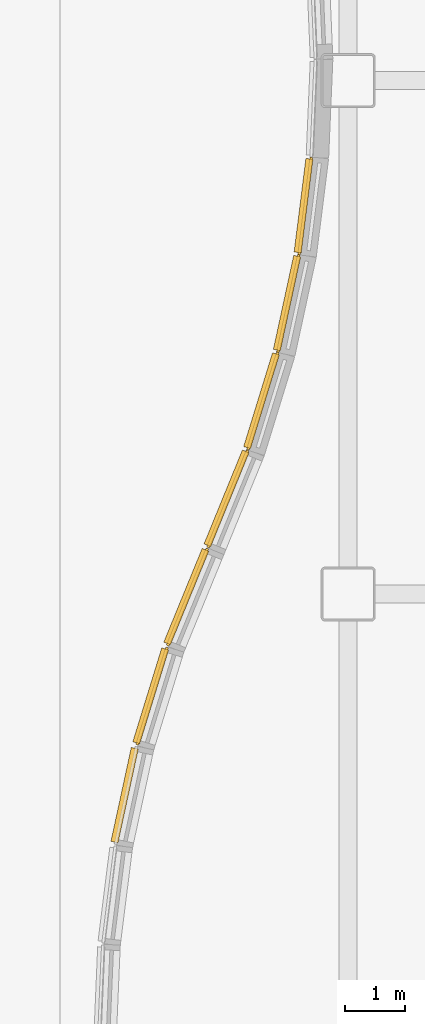
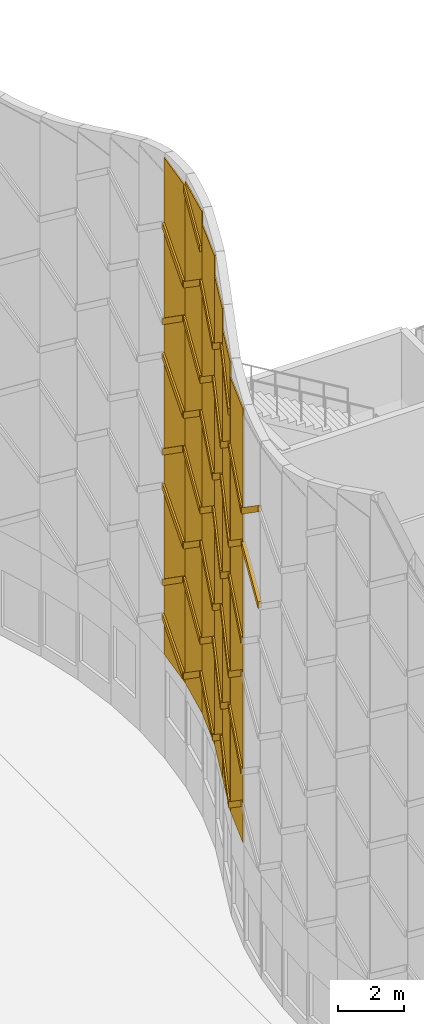
# One storey, part 155 of 165: 50 coverings.
"""IFC4 building model written with IfcOpenShell, lengths in metres."""

from ifc_helpers import new_model, si_unit, direction, frame, origin, origin_2d, place, context, subcontext, project, spatial, polyline, rectangle, outline, extrude, material, layer, layer_set, type_object, element, save


model = new_model("IFC4")

# Units and contexts
model_context = context("Model", 3, precision=1e-05, world=origin(), true_north=direction((0.0, 1.0)))
body_context = subcontext(model_context, "Body", "Model", "MODEL_VIEW")
ifc_project = project(units=[si_unit("LENGTHUNIT", "METRE"), si_unit("AREAUNIT", "SQUARE_METRE"), si_unit("VOLUMEUNIT", "CUBIC_METRE"), si_unit("PLANEANGLEUNIT", "RADIAN"), si_unit("MASSUNIT", "GRAM", prefix="KILO")], contexts=[model_context])

# Site, building, storey
site_placement = place(None, origin())
site = spatial("IfcSite", under=ifc_project, at=site_placement, CompositionType="ELEMENT")
building_placement = place(site_placement, origin())
building = spatial("IfcBuilding", under=site, at=building_placement, Name="Kazehara Bluff Congress Hotel", CompositionType="ELEMENT")
storey_placement = place(building_placement, origin())
storey = spatial("IfcBuildingStorey", under=building, at=storey_placement, Name="L00", CompositionType="ELEMENT", Elevation=0.0)

# Coverings
ifc_material_1 = material(Name="Basalt stone-grey chevron ceramic tile", Category="masonry")
ifc_layer_1 = layer(ifc_material_1, 0.1201171875)
ifc_layer_set_1 = layer_set([ifc_layer_1], Name="Basalt stone-grey chevron ceramic tile")
covering_type_1 = type_object("IfcCoveringType", Name="TP-CHV-RIB", PredefinedType="CLADDING", material=ifc_layer_set_1)
covering_1_placement = place(storey_placement, frame((0.89990234375, 92.72998046875, 13.60009765625), z_axis=(0.0, 0.0, 1.0), x_axis=(0.2115356349, 0.977370285597, 0.0)))
element("IfcCovering", 1, at=covering_1_placement, inside=storey, type_object=covering_type_1, Name="Chevron stone-grey tile rib WR-V1-28-5", PredefinedType="CLADDING", context=body_context, shape_type="SweptSolid", body=[
    extrude(outline(polyline([(0.0400390625, 0.0), (1.639892578125, 1.14990234375), (1.639892578125, 1.389892578125), (0.0400390625, 0.239990234375), (0.0400390625, 0.0)])), frame((0.0, 0.06005859375, 0.0), z_axis=(0.0, -1.0, 0.0), x_axis=(1.0, 0.0, 0.0)), (0.0, 0.0, 1.0), 0.1201171875),
])
covering_2_placement = place(storey_placement, frame((0.89990234375, 92.72998046875, 16.0), z_axis=(0.0, 0.0, 1.0), x_axis=(0.2115356349, 0.977370285597, 0.0)))
element("IfcCovering", 2, at=covering_2_placement, inside=storey, type_object=covering_type_1, Name="Chevron stone-grey tile rib WR-V1-28-6", PredefinedType="CLADDING", context=body_context, shape_type="SweptSolid", body=[
    extrude(outline(polyline([(0.0400390625, 1.14990234375), (1.639892578125, 0.0), (1.639892578125, 0.239990234375), (0.0400390625, 1.389892578125), (0.0400390625, 1.14990234375)])), frame((0.0, 0.06005859375, 0.0), z_axis=(0.0, -1.0, 0.0), x_axis=(1.0, 0.0, 0.0)), (0.0, 0.0, 1.0), 0.1201171875),
])
covering_3_placement = place(storey_placement, frame((1.260009765625, 94.385009765625, 4.0), z_axis=(0.0, 0.0, 1.0), x_axis=(0.294245819444, 0.955729772342, 0.0)))
element("IfcCovering", 3, at=covering_3_placement, inside=storey, type_object=covering_type_1, Name="Chevron stone-grey tile rib WR-V1-29-1", PredefinedType="CLADDING", context=body_context, shape_type="SweptSolid", body=[
    extrude(outline(polyline([(0.0400390625, 1.175048828125), (1.675048828125, 0.0), (1.675048828125, 0.239990234375), (0.0400390625, 1.4150390625), (0.0400390625, 1.175048828125)])), frame((0.0, 0.06005859375, 0.0), z_axis=(0.0, -1.0, 0.0), x_axis=(1.0, 0.0, 0.0)), (0.0, 0.0, 1.0), 0.1201171875),
])
covering_4_placement = place(storey_placement, frame((1.260009765625, 94.385009765625, 6.39990234375), z_axis=(0.0, 0.0, 1.0), x_axis=(0.294245819444, 0.955729772342, 0.0)))
element("IfcCovering", 4, at=covering_4_placement, inside=storey, type_object=covering_type_1, Name="Chevron stone-grey tile rib WR-V1-29-2", PredefinedType="CLADDING", context=body_context, shape_type="SweptSolid", body=[
    extrude(outline(polyline([(0.0400390625, 0.0), (1.675048828125, 1.175048828125), (1.675048828125, 1.4150390625), (0.0400390625, 0.239990234375), (0.0400390625, 0.0)])), frame((0.0, 0.06005859375, 0.0), z_axis=(0.0, -1.0, 0.0), x_axis=(1.0, 0.0, 0.0)), (0.0, 0.0, 1.0), 0.1201171875),
])
covering_5_placement = place(storey_placement, frame((1.260009765625, 94.385009765625, 8.800048828125), z_axis=(0.0, 0.0, 1.0), x_axis=(0.294245819444, 0.955729772342, 0.0)))
element("IfcCovering", 5, at=covering_5_placement, inside=storey, type_object=covering_type_1, Name="Chevron stone-grey tile rib WR-V1-29-3", PredefinedType="CLADDING", context=body_context, shape_type="SweptSolid", body=[
    extrude(outline(polyline([(0.0400390625, 1.175048828125), (1.675048828125, 0.0), (1.675048828125, 0.239990234375), (0.0400390625, 1.4150390625), (0.0400390625, 1.175048828125)])), frame((0.0, 0.06005859375, 0.0), z_axis=(0.0, -1.0, 0.0), x_axis=(1.0, 0.0, 0.0)), (0.0, 0.0, 1.0), 0.1201171875),
])
covering_6_placement = place(storey_placement, frame((1.260009765625, 94.385009765625, 11.199951171875), z_axis=(0.0, 0.0, 1.0), x_axis=(0.294245819444, 0.955729772342, 0.0)))
element("IfcCovering", 6, at=covering_6_placement, inside=storey, type_object=covering_type_1, Name="Chevron stone-grey tile rib WR-V1-29-4", PredefinedType="CLADDING", context=body_context, shape_type="SweptSolid", body=[
    extrude(outline(polyline([(0.0400390625, 0.0), (1.675048828125, 1.175048828125), (1.675048828125, 1.4150390625), (0.0400390625, 0.239990234375), (0.0400390625, 0.0)])), frame((0.0, 0.06005859375, 0.0), z_axis=(0.0, -1.0, 0.0), x_axis=(1.0, 0.0, 0.0)), (0.0, 0.0, 1.0), 0.1201171875),
])
covering_7_placement = place(storey_placement, frame((1.260009765625, 94.385009765625, 13.60009765625), z_axis=(0.0, 0.0, 1.0), x_axis=(0.294245819444, 0.955729772342, 0.0)))
element("IfcCovering", 7, at=covering_7_placement, inside=storey, type_object=covering_type_1, Name="Chevron stone-grey tile rib WR-V1-29-5", PredefinedType="CLADDING", context=body_context, shape_type="SweptSolid", body=[
    extrude(outline(polyline([(0.0400390625, 1.1748046875), (1.675048828125, 0.0), (1.675048828125, 0.239990234375), (0.0400390625, 1.414794921875), (0.0400390625, 1.1748046875)])), frame((0.0, 0.06005859375, 0.0), z_axis=(0.0, -1.0, 0.0), x_axis=(1.0, 0.0, 0.0)), (0.0, 0.0, 1.0), 0.1201171875),
])
covering_8_placement = place(storey_placement, frame((1.260009765625, 94.385009765625, 16.0), z_axis=(0.0, 0.0, 1.0), x_axis=(0.294245819444, 0.955729772342, 0.0)))
element("IfcCovering", 8, at=covering_8_placement, inside=storey, type_object=covering_type_1, Name="Chevron stone-grey tile rib WR-V1-29-6", PredefinedType="CLADDING", context=body_context, shape_type="SweptSolid", body=[
    extrude(outline(polyline([(0.0400390625, 0.0), (1.675048828125, 1.175048828125), (1.675048828125, 1.4150390625), (0.0400390625, 0.239990234375), (0.0400390625, 0.0)])), frame((0.0, 0.06005859375, 0.0), z_axis=(0.0, -1.0, 0.0), x_axis=(1.0, 0.0, 0.0)), (0.0, 0.0, 1.0), 0.1201171875),
])
covering_9_placement = place(storey_placement, frame((1.77001953125, 96.0400390625, 4.0), z_axis=(0.0, 0.0, 1.0), x_axis=(0.379143902022, 0.925337722974, 0.0)))
element("IfcCovering", 9, at=covering_9_placement, inside=storey, type_object=covering_type_1, Name="Chevron stone-grey tile rib WR-V1-30-1", PredefinedType="CLADDING", context=body_context, shape_type="SweptSolid", body=[
    extrude(outline(polyline([(0.0400390625, 0.0), (1.72509765625, 1.199951171875), (1.72509765625, 1.43994140625), (0.0400390625, 0.239990234375), (0.0400390625, 0.0)])), frame((0.0, 0.06005859375, 0.0), z_axis=(0.0, -1.0, 0.0), x_axis=(1.0, 0.0, 0.0)), (0.0, 0.0, 1.0), 0.1201171875),
])
covering_10_placement = place(storey_placement, frame((1.77001953125, 96.0400390625, 6.39990234375), z_axis=(0.0, 0.0, 1.0), x_axis=(0.379143902022, 0.925337722974, 0.0)))
element("IfcCovering", 10, at=covering_10_placement, inside=storey, type_object=covering_type_1, Name="Chevron stone-grey tile rib WR-V1-30-2", PredefinedType="CLADDING", context=body_context, shape_type="SweptSolid", body=[
    extrude(outline(polyline([(0.0400390625, 1.2001953125), (1.72509765625, 0.0), (1.72509765625, 0.239990234375), (0.0400390625, 1.440185546875), (0.0400390625, 1.2001953125)])), frame((0.0, 0.06005859375, 0.0), z_axis=(0.0, -1.0, 0.0), x_axis=(1.0, 0.0, 0.0)), (0.0, 0.0, 1.0), 0.1201171875),
])
covering_11_placement = place(storey_placement, frame((1.77001953125, 96.0400390625, 8.800048828125), z_axis=(0.0, 0.0, 1.0), x_axis=(0.379143902022, 0.925337722974, 0.0)))
element("IfcCovering", 11, at=covering_11_placement, inside=storey, type_object=covering_type_1, Name="Chevron stone-grey tile rib WR-V1-30-3", PredefinedType="CLADDING", context=body_context, shape_type="SweptSolid", body=[
    extrude(outline(polyline([(0.0400390625, 0.0), (1.72509765625, 1.199951171875), (1.72509765625, 1.43994140625), (0.0400390625, 0.239990234375), (0.0400390625, 0.0)])), frame((0.0, 0.06005859375, 0.0), z_axis=(0.0, -1.0, 0.0), x_axis=(1.0, 0.0, 0.0)), (0.0, 0.0, 1.0), 0.1201171875),
])
covering_12_placement = place(storey_placement, frame((1.77001953125, 96.0400390625, 11.199951171875), z_axis=(0.0, 0.0, 1.0), x_axis=(0.379143902022, 0.925337722974, 0.0)))
element("IfcCovering", 12, at=covering_12_placement, inside=storey, type_object=covering_type_1, Name="Chevron stone-grey tile rib WR-V1-30-4", PredefinedType="CLADDING", context=body_context, shape_type="SweptSolid", body=[
    extrude(outline(polyline([(0.0400390625, 1.199951171875), (1.72509765625, 0.0), (1.72509765625, 0.239990234375), (0.0400390625, 1.43994140625), (0.0400390625, 1.199951171875)])), frame((0.0, 0.06005859375, 0.0), z_axis=(0.0, -1.0, 0.0), x_axis=(1.0, 0.0, 0.0)), (0.0, 0.0, 1.0), 0.1201171875),
])
covering_13_placement = place(storey_placement, frame((1.77001953125, 96.0400390625, 13.60009765625), z_axis=(0.0, 0.0, 1.0), x_axis=(0.379143902022, 0.925337722974, 0.0)))
element("IfcCovering", 13, at=covering_13_placement, inside=storey, type_object=covering_type_1, Name="Chevron stone-grey tile rib WR-V1-30-5", PredefinedType="CLADDING", context=body_context, shape_type="SweptSolid", body=[
    extrude(outline(polyline([(0.0400390625, 0.0), (1.72509765625, 1.199951171875), (1.72509765625, 1.43994140625), (0.0400390625, 0.239990234375), (0.0400390625, 0.0)])), frame((0.0, 0.06005859375, 0.0), z_axis=(0.0, -1.0, 0.0), x_axis=(1.0, 0.0, 0.0)), (0.0, 0.0, 1.0), 0.1201171875),
])
covering_14_placement = place(storey_placement, frame((1.77001953125, 96.0400390625, 16.0), z_axis=(0.0, 0.0, 1.0), x_axis=(0.379143902022, 0.925337722974, 0.0)))
element("IfcCovering", 14, at=covering_14_placement, inside=storey, type_object=covering_type_1, Name="Chevron stone-grey tile rib WR-V1-30-6", PredefinedType="CLADDING", context=body_context, shape_type="SweptSolid", body=[
    extrude(outline(polyline([(0.0400390625, 1.199951171875), (1.72509765625, 0.0), (1.72509765625, 0.239990234375), (0.0400390625, 1.43994140625), (0.0400390625, 1.199951171875)])), frame((0.0, 0.06005859375, 0.0), z_axis=(0.0, -1.0, 0.0), x_axis=(1.0, 0.0, 0.0)), (0.0, 0.0, 1.0), 0.1201171875),
])
covering_15_placement = place(storey_placement, frame((1.77001953125, 96.0400390625, 18.39990234375), z_axis=(0.0, 0.0, 1.0), x_axis=(0.379143902022, 0.925337722974, 0.0)))
element("IfcCovering", 15, at=covering_15_placement, inside=storey, type_object=covering_type_1, Name="Chevron stone-grey tile rib WR-V1-30-7", PredefinedType="CLADDING", context=body_context, shape_type="SweptSolid", body=[
    extrude(outline(polyline([(0.0400390625, 0.0), (1.72509765625, 1.2001953125), (1.72509765625, 1.440185546875), (0.0400390625, 0.239990234375), (0.0400390625, 0.0)])), frame((0.0, 0.06005859375, 0.0), z_axis=(0.0, -1.0, 0.0), x_axis=(1.0, 0.0, 0.0)), (0.0, 0.0, 1.0), 0.1201171875),
])
covering_16_placement = place(storey_placement, frame((2.43994140625, 97.675048828125, 4.0), z_axis=(0.0, 0.0, 1.0), x_axis=(0.378294753484, 0.925685194592, 0.0)))
element("IfcCovering", 16, at=covering_16_placement, inside=storey, type_object=covering_type_1, Name="Chevron stone-grey tile rib WR-V1-31-1", PredefinedType="CLADDING", context=body_context, shape_type="SweptSolid", body=[
    extrude(outline(polyline([(0.0400390625, 1.199951171875), (1.72998046875, 0.0), (1.72998046875, 0.239990234375), (0.0400390625, 1.43994140625), (0.0400390625, 1.199951171875)])), frame((0.0, 0.06005859375, 0.0), z_axis=(0.0, -1.0, 0.0), x_axis=(1.0, 0.0, 0.0)), (0.0, 0.0, 1.0), 0.1201171875),
])
covering_17_placement = place(storey_placement, frame((2.43994140625, 97.675048828125, 6.39990234375), z_axis=(0.0, 0.0, 1.0), x_axis=(0.378294753484, 0.925685194592, 0.0)))
element("IfcCovering", 17, at=covering_17_placement, inside=storey, type_object=covering_type_1, Name="Chevron stone-grey tile rib WR-V1-31-2", PredefinedType="CLADDING", context=body_context, shape_type="SweptSolid", body=[
    extrude(outline(polyline([(0.0400390625, 0.0), (1.72998046875, 1.2001953125), (1.72998046875, 1.440185546875), (0.0400390625, 0.239990234375), (0.0400390625, 0.0)])), frame((0.0, 0.06005859375, 0.0), z_axis=(0.0, -1.0, 0.0), x_axis=(1.0, 0.0, 0.0)), (0.0, 0.0, 1.0), 0.1201171875),
])
covering_18_placement = place(storey_placement, frame((2.43994140625, 97.675048828125, 8.800048828125), z_axis=(0.0, 0.0, 1.0), x_axis=(0.378294753484, 0.925685194592, 0.0)))
element("IfcCovering", 18, at=covering_18_placement, inside=storey, type_object=covering_type_1, Name="Chevron stone-grey tile rib WR-V1-31-3", PredefinedType="CLADDING", context=body_context, shape_type="SweptSolid", body=[
    extrude(outline(polyline([(0.0400390625, 1.199951171875), (1.72998046875, 0.0), (1.72998046875, 0.239990234375), (0.0400390625, 1.43994140625), (0.0400390625, 1.199951171875)])), frame((0.0, 0.06005859375, 0.0), z_axis=(0.0, -1.0, 0.0), x_axis=(1.0, 0.0, 0.0)), (0.0, 0.0, 1.0), 0.1201171875),
])
covering_19_placement = place(storey_placement, frame((2.43994140625, 97.675048828125, 11.199951171875), z_axis=(0.0, 0.0, 1.0), x_axis=(0.378294753484, 0.925685194592, 0.0)))
element("IfcCovering", 19, at=covering_19_placement, inside=storey, type_object=covering_type_1, Name="Chevron stone-grey tile rib WR-V1-31-4", PredefinedType="CLADDING", context=body_context, shape_type="SweptSolid", body=[
    extrude(outline(polyline([(0.0400390625, 0.0), (1.72998046875, 1.199951171875), (1.72998046875, 1.43994140625), (0.0400390625, 0.239990234375), (0.0400390625, 0.0)])), frame((0.0, 0.06005859375, 0.0), z_axis=(0.0, -1.0, 0.0), x_axis=(1.0, 0.0, 0.0)), (0.0, 0.0, 1.0), 0.1201171875),
])
covering_20_placement = place(storey_placement, frame((2.43994140625, 97.675048828125, 13.60009765625), z_axis=(0.0, 0.0, 1.0), x_axis=(0.378294753484, 0.925685194592, 0.0)))
element("IfcCovering", 20, at=covering_20_placement, inside=storey, type_object=covering_type_1, Name="Chevron stone-grey tile rib WR-V1-31-5", PredefinedType="CLADDING", context=body_context, shape_type="SweptSolid", body=[
    extrude(outline(polyline([(0.0400390625, 1.199951171875), (1.72998046875, 0.0), (1.72998046875, 0.239990234375), (0.0400390625, 1.43994140625), (0.0400390625, 1.199951171875)])), frame((0.0, 0.06005859375, 0.0), z_axis=(0.0, -1.0, 0.0), x_axis=(1.0, 0.0, 0.0)), (0.0, 0.0, 1.0), 0.1201171875),
])
covering_21_placement = place(storey_placement, frame((2.43994140625, 97.675048828125, 16.0), z_axis=(0.0, 0.0, 1.0), x_axis=(0.378294753484, 0.925685194592, 0.0)))
element("IfcCovering", 21, at=covering_21_placement, inside=storey, type_object=covering_type_1, Name="Chevron stone-grey tile rib WR-V1-31-6", PredefinedType="CLADDING", context=body_context, shape_type="SweptSolid", body=[
    extrude(outline(polyline([(0.0400390625, 0.0), (1.72998046875, 1.199951171875), (1.72998046875, 1.43994140625), (0.0400390625, 0.239990234375), (0.0400390625, 0.0)])), frame((0.0, 0.06005859375, 0.0), z_axis=(0.0, -1.0, 0.0), x_axis=(1.0, 0.0, 0.0)), (0.0, 0.0, 1.0), 0.1201171875),
])
covering_22_placement = place(storey_placement, frame((2.43994140625, 97.675048828125, 18.39990234375), z_axis=(0.0, 0.0, 1.0), x_axis=(0.378294753484, 0.925685194592, 0.0)))
element("IfcCovering", 22, at=covering_22_placement, inside=storey, type_object=covering_type_1, Name="Chevron stone-grey tile rib WR-V1-31-7", PredefinedType="CLADDING", context=body_context, shape_type="SweptSolid", body=[
    extrude(outline(polyline([(0.0400390625, 1.2001953125), (1.72998046875, 0.0), (1.72998046875, 0.239990234375), (0.0400390625, 1.440185546875), (0.0400390625, 1.2001953125)])), frame((0.0, 0.06005859375, 0.0), z_axis=(0.0, -1.0, 0.0), x_axis=(1.0, 0.0, 0.0)), (0.0, 0.0, 1.0), 0.1201171875),
])
covering_23_placement = place(storey_placement, frame((3.10498046875, 99.300048828125, 4.0), z_axis=(0.0, 0.0, 1.0), x_axis=(0.294375777354, 0.955689751806, 0.0)))
element("IfcCovering", 23, at=covering_23_placement, inside=storey, type_object=covering_type_1, Name="Chevron stone-grey tile rib WR-V1-32-1", PredefinedType="CLADDING", context=body_context, shape_type="SweptSolid", body=[
    extrude(outline(polyline([(0.0400390625, 0.0), (1.675048828125, 1.175048828125), (1.675048828125, 1.4150390625), (0.0400390625, 0.239990234375), (0.0400390625, 0.0)])), frame((0.0, 0.06005859375, 0.0), z_axis=(0.0, -1.0, 0.0), x_axis=(1.0, 0.0, 0.0)), (0.0, 0.0, 1.0), 0.1201171875),
])
covering_24_placement = place(storey_placement, frame((3.10498046875, 99.300048828125, 6.39990234375), z_axis=(0.0, 0.0, 1.0), x_axis=(0.294375777354, 0.955689751806, 0.0)))
element("IfcCovering", 24, at=covering_24_placement, inside=storey, type_object=covering_type_1, Name="Chevron stone-grey tile rib WR-V1-32-2", PredefinedType="CLADDING", context=body_context, shape_type="SweptSolid", body=[
    extrude(outline(polyline([(0.0400390625, 1.175048828125), (1.675048828125, 0.0), (1.675048828125, 0.239990234375), (0.0400390625, 1.4150390625), (0.0400390625, 1.175048828125)])), frame((0.0, 0.06005859375, 0.0), z_axis=(0.0, -1.0, 0.0), x_axis=(1.0, 0.0, 0.0)), (0.0, 0.0, 1.0), 0.1201171875),
])
covering_25_placement = place(storey_placement, frame((3.10498046875, 99.300048828125, 8.800048828125), z_axis=(0.0, 0.0, 1.0), x_axis=(0.294375777354, 0.955689751806, 0.0)))
element("IfcCovering", 25, at=covering_25_placement, inside=storey, type_object=covering_type_1, Name="Chevron stone-grey tile rib WR-V1-32-3", PredefinedType="CLADDING", context=body_context, shape_type="SweptSolid", body=[
    extrude(outline(polyline([(0.0400390625, 0.0), (1.675048828125, 1.175048828125), (1.675048828125, 1.4150390625), (0.0400390625, 0.239990234375), (0.0400390625, 0.0)])), frame((0.0, 0.06005859375, 0.0), z_axis=(0.0, -1.0, 0.0), x_axis=(1.0, 0.0, 0.0)), (0.0, 0.0, 1.0), 0.1201171875),
])
covering_26_placement = place(storey_placement, frame((3.10498046875, 99.300048828125, 11.199951171875), z_axis=(0.0, 0.0, 1.0), x_axis=(0.294375777354, 0.955689751806, 0.0)))
element("IfcCovering", 26, at=covering_26_placement, inside=storey, type_object=covering_type_1, Name="Chevron stone-grey tile rib WR-V1-32-4", PredefinedType="CLADDING", context=body_context, shape_type="SweptSolid", body=[
    extrude(outline(polyline([(0.0400390625, 1.175048828125), (1.675048828125, 0.0), (1.675048828125, 0.239990234375), (0.0400390625, 1.4150390625), (0.0400390625, 1.175048828125)])), frame((0.0, 0.06005859375, 0.0), z_axis=(0.0, -1.0, 0.0), x_axis=(1.0, 0.0, 0.0)), (0.0, 0.0, 1.0), 0.1201171875),
])
covering_27_placement = place(storey_placement, frame((3.10498046875, 99.300048828125, 13.60009765625), z_axis=(0.0, 0.0, 1.0), x_axis=(0.294375777354, 0.955689751806, 0.0)))
element("IfcCovering", 27, at=covering_27_placement, inside=storey, type_object=covering_type_1, Name="Chevron stone-grey tile rib WR-V1-32-5", PredefinedType="CLADDING", context=body_context, shape_type="SweptSolid", body=[
    extrude(outline(polyline([(0.0400390625, 0.0), (1.675048828125, 1.1748046875), (1.675048828125, 1.414794921875), (0.0400390625, 0.239990234375), (0.0400390625, 0.0)])), frame((0.0, 0.06005859375, 0.0), z_axis=(0.0, -1.0, 0.0), x_axis=(1.0, 0.0, 0.0)), (0.0, 0.0, 1.0), 0.1201171875),
])
covering_28_placement = place(storey_placement, frame((3.10498046875, 99.300048828125, 16.0), z_axis=(0.0, 0.0, 1.0), x_axis=(0.294375777354, 0.955689751806, 0.0)))
element("IfcCovering", 28, at=covering_28_placement, inside=storey, type_object=covering_type_1, Name="Chevron stone-grey tile rib WR-V1-32-6", PredefinedType="CLADDING", context=body_context, shape_type="SweptSolid", body=[
    extrude(outline(polyline([(0.0400390625, 1.175048828125), (1.675048828125, 0.0), (1.675048828125, 0.239990234375), (0.0400390625, 1.4150390625), (0.0400390625, 1.175048828125)])), frame((0.0, 0.06005859375, 0.0), z_axis=(0.0, -1.0, 0.0), x_axis=(1.0, 0.0, 0.0)), (0.0, 0.0, 1.0), 0.1201171875),
])
covering_29_placement = place(storey_placement, frame((3.10498046875, 99.300048828125, 18.39990234375), z_axis=(0.0, 0.0, 1.0), x_axis=(0.294375777354, 0.955689751806, 0.0)))
element("IfcCovering", 29, at=covering_29_placement, inside=storey, type_object=covering_type_1, Name="Chevron stone-grey tile rib WR-V1-32-7", PredefinedType="CLADDING", context=body_context, shape_type="SweptSolid", body=[
    extrude(outline(polyline([(0.0400390625, 0.0), (1.675048828125, 1.175048828125), (1.675048828125, 1.4150390625), (0.0400390625, 0.239990234375), (0.0400390625, 0.0)])), frame((0.0, 0.06005859375, 0.0), z_axis=(0.0, -1.0, 0.0), x_axis=(1.0, 0.0, 0.0)), (0.0, 0.0, 1.0), 0.1201171875),
])
covering_30_placement = place(storey_placement, frame((3.60498046875, 100.925048828125, 4.0), z_axis=(0.0, 0.0, 1.0), x_axis=(0.211565717967, 0.97736377413, 0.0)))
element("IfcCovering", 30, at=covering_30_placement, inside=storey, type_object=covering_type_1, Name="Chevron stone-grey tile rib WR-V1-33-1", PredefinedType="CLADDING", context=body_context, shape_type="SweptSolid", body=[
    extrude(outline(polyline([(0.0400390625, 1.14990234375), (1.639892578125, 0.0), (1.639892578125, 0.239990234375), (0.0400390625, 1.389892578125), (0.0400390625, 1.14990234375)])), frame((0.0, 0.06005859375, 0.0), z_axis=(0.0, -1.0, 0.0), x_axis=(1.0, 0.0, 0.0)), (0.0, 0.0, 1.0), 0.1201171875),
])
covering_31_placement = place(storey_placement, frame((3.60498046875, 100.925048828125, 6.39990234375), z_axis=(0.0, 0.0, 1.0), x_axis=(0.211565717967, 0.97736377413, 0.0)))
element("IfcCovering", 31, at=covering_31_placement, inside=storey, type_object=covering_type_1, Name="Chevron stone-grey tile rib WR-V1-33-2", PredefinedType="CLADDING", context=body_context, shape_type="SweptSolid", body=[
    extrude(outline(polyline([(0.0400390625, 0.0), (1.639892578125, 1.150146484375), (1.639892578125, 1.39013671875), (0.0400390625, 0.239990234375), (0.0400390625, 0.0)])), frame((0.0, 0.06005859375, 0.0), z_axis=(0.0, -1.0, 0.0), x_axis=(1.0, 0.0, 0.0)), (0.0, 0.0, 1.0), 0.1201171875),
])
covering_32_placement = place(storey_placement, frame((3.60498046875, 100.925048828125, 8.800048828125), z_axis=(0.0, 0.0, 1.0), x_axis=(0.211565717967, 0.97736377413, 0.0)))
element("IfcCovering", 32, at=covering_32_placement, inside=storey, type_object=covering_type_1, Name="Chevron stone-grey tile rib WR-V1-33-3", PredefinedType="CLADDING", context=body_context, shape_type="SweptSolid", body=[
    extrude(outline(polyline([(0.0400390625, 1.14990234375), (1.639892578125, 0.0), (1.639892578125, 0.239990234375), (0.0400390625, 1.389892578125), (0.0400390625, 1.14990234375)])), frame((0.0, 0.06005859375, 0.0), z_axis=(0.0, -1.0, 0.0), x_axis=(1.0, 0.0, 0.0)), (0.0, 0.0, 1.0), 0.1201171875),
])
covering_33_placement = place(storey_placement, frame((3.60498046875, 100.925048828125, 11.199951171875), z_axis=(0.0, 0.0, 1.0), x_axis=(0.211565717967, 0.97736377413, 0.0)))
element("IfcCovering", 33, at=covering_33_placement, inside=storey, type_object=covering_type_1, Name="Chevron stone-grey tile rib WR-V1-33-4", PredefinedType="CLADDING", context=body_context, shape_type="SweptSolid", body=[
    extrude(outline(polyline([(0.0400390625, 0.0), (1.639892578125, 1.150146484375), (1.639892578125, 1.39013671875), (0.0400390625, 0.239990234375), (0.0400390625, 0.0)])), frame((0.0, 0.06005859375, 0.0), z_axis=(0.0, -1.0, 0.0), x_axis=(1.0, 0.0, 0.0)), (0.0, 0.0, 1.0), 0.1201171875),
])
covering_34_placement = place(storey_placement, frame((3.60498046875, 100.925048828125, 13.60009765625), z_axis=(0.0, 0.0, 1.0), x_axis=(0.211565717967, 0.97736377413, 0.0)))
element("IfcCovering", 34, at=covering_34_placement, inside=storey, type_object=covering_type_1, Name="Chevron stone-grey tile rib WR-V1-33-5", PredefinedType="CLADDING", context=body_context, shape_type="SweptSolid", body=[
    extrude(outline(polyline([(0.0400390625, 1.14990234375), (1.639892578125, 0.0), (1.639892578125, 0.239990234375), (0.0400390625, 1.389892578125), (0.0400390625, 1.14990234375)])), frame((0.0, 0.06005859375, 0.0), z_axis=(0.0, -1.0, 0.0), x_axis=(1.0, 0.0, 0.0)), (0.0, 0.0, 1.0), 0.1201171875),
])
covering_35_placement = place(storey_placement, frame((3.60498046875, 100.925048828125, 16.0), z_axis=(0.0, 0.0, 1.0), x_axis=(0.211565717967, 0.97736377413, 0.0)))
element("IfcCovering", 35, at=covering_35_placement, inside=storey, type_object=covering_type_1, Name="Chevron stone-grey tile rib WR-V1-33-6", PredefinedType="CLADDING", context=body_context, shape_type="SweptSolid", body=[
    extrude(outline(polyline([(0.0400390625, 0.0), (1.639892578125, 1.14990234375), (1.639892578125, 1.389892578125), (0.0400390625, 0.239990234375), (0.0400390625, 0.0)])), frame((0.0, 0.06005859375, 0.0), z_axis=(0.0, -1.0, 0.0), x_axis=(1.0, 0.0, 0.0)), (0.0, 0.0, 1.0), 0.1201171875),
])
covering_36_placement = place(storey_placement, frame((3.60498046875, 100.925048828125, 18.39990234375), z_axis=(0.0, 0.0, 1.0), x_axis=(0.211565717967, 0.97736377413, 0.0)))
element("IfcCovering", 36, at=covering_36_placement, inside=storey, type_object=covering_type_1, Name="Chevron stone-grey tile rib WR-V1-33-7", PredefinedType="CLADDING", context=body_context, shape_type="SweptSolid", body=[
    extrude(outline(polyline([(0.0400390625, 1.150146484375), (1.639892578125, 0.0), (1.639892578125, 0.239990234375), (0.0400390625, 1.39013671875), (0.0400390625, 1.150146484375)])), frame((0.0, 0.06005859375, 0.0), z_axis=(0.0, -1.0, 0.0), x_axis=(1.0, 0.0, 0.0)), (0.0, 0.0, 1.0), 0.1201171875),
])
covering_37_placement = place(storey_placement, frame((3.60498046875, 100.925048828125, 20.800048828125), z_axis=(0.0, 0.0, 1.0), x_axis=(0.211565717967, 0.97736377413, 0.0)))
element("IfcCovering", 37, at=covering_37_placement, inside=storey, type_object=covering_type_1, Name="Chevron stone-grey tile rib WR-V1-33-8", PredefinedType="CLADDING", context=body_context, shape_type="SweptSolid", body=[
    extrude(outline(polyline([(0.0400390625, 0.0), (1.639892578125, 1.14990234375), (1.639892578125, 1.389892578125), (0.0400390625, 0.239990234375), (0.0400390625, 0.0)])), frame((0.0, 0.06005859375, 0.0), z_axis=(0.0, -1.0, 0.0), x_axis=(1.0, 0.0, 0.0)), (0.0, 0.0, 1.0), 0.1201171875),
])
covering_38_placement = place(storey_placement, frame((3.955078125, 102.550048828125, 4.0), z_axis=(0.0, 0.0, 1.0), x_axis=(0.124308260476, 0.992243647688, 0.0)))
element("IfcCovering", 38, at=covering_38_placement, inside=storey, type_object=covering_type_1, Name="Chevron stone-grey tile rib WR-V1-34-1", PredefinedType="CLADDING", context=body_context, shape_type="SweptSolid", body=[
    extrude(outline(polyline([(0.0400390625, 0.0), (1.610107421875, 1.1298828125), (1.610107421875, 1.3701171875), (0.0400390625, 0.239990234375), (0.0400390625, 0.0)])), frame((0.0, 0.06005859375, 0.0), z_axis=(0.0, -1.0, 0.0), x_axis=(1.0, 0.0, 0.0)), (0.0, 0.0, 1.0), 0.1201171875),
])
covering_39_placement = place(storey_placement, frame((3.955078125, 102.550048828125, 6.39990234375), z_axis=(0.0, 0.0, 1.0), x_axis=(0.124308260476, 0.992243647688, 0.0)))
element("IfcCovering", 39, at=covering_39_placement, inside=storey, type_object=covering_type_1, Name="Chevron stone-grey tile rib WR-V1-34-2", PredefinedType="CLADDING", context=body_context, shape_type="SweptSolid", body=[
    extrude(outline(polyline([(0.0400390625, 1.130126953125), (1.610107421875, 0.0), (1.610107421875, 0.239990234375), (0.0400390625, 1.3701171875), (0.0400390625, 1.130126953125)])), frame((0.0, 0.06005859375, 0.0), z_axis=(0.0, -1.0, 0.0), x_axis=(1.0, 0.0, 0.0)), (0.0, 0.0, 1.0), 0.1201171875),
])
covering_40_placement = place(storey_placement, frame((3.955078125, 102.550048828125, 8.800048828125), z_axis=(0.0, 0.0, 1.0), x_axis=(0.124308260476, 0.992243647688, 0.0)))
element("IfcCovering", 40, at=covering_40_placement, inside=storey, type_object=covering_type_1, Name="Chevron stone-grey tile rib WR-V1-34-3", PredefinedType="CLADDING", context=body_context, shape_type="SweptSolid", body=[
    extrude(outline(polyline([(0.0400390625, 0.0), (1.610107421875, 1.1298828125), (1.610107421875, 1.369873046875), (0.0400390625, 0.239990234375), (0.0400390625, 0.0)])), frame((0.0, 0.06005859375, 0.0), z_axis=(0.0, -1.0, 0.0), x_axis=(1.0, 0.0, 0.0)), (0.0, 0.0, 1.0), 0.1201171875),
])
covering_41_placement = place(storey_placement, frame((3.955078125, 102.550048828125, 11.199951171875), z_axis=(0.0, 0.0, 1.0), x_axis=(0.124308260476, 0.992243647688, 0.0)))
element("IfcCovering", 41, at=covering_41_placement, inside=storey, type_object=covering_type_1, Name="Chevron stone-grey tile rib WR-V1-34-4", PredefinedType="CLADDING", context=body_context, shape_type="SweptSolid", body=[
    extrude(outline(polyline([(0.0400390625, 1.130126953125), (1.610107421875, 0.0), (1.610107421875, 0.239990234375), (0.0400390625, 1.3701171875), (0.0400390625, 1.130126953125)])), frame((0.0, 0.06005859375, 0.0), z_axis=(0.0, -1.0, 0.0), x_axis=(1.0, 0.0, 0.0)), (0.0, 0.0, 1.0), 0.1201171875),
])
covering_42_placement = place(storey_placement, frame((3.955078125, 102.550048828125, 13.60009765625), z_axis=(0.0, 0.0, 1.0), x_axis=(0.124308260476, 0.992243647688, 0.0)))
element("IfcCovering", 42, at=covering_42_placement, inside=storey, type_object=covering_type_1, Name="Chevron stone-grey tile rib WR-V1-34-5", PredefinedType="CLADDING", context=body_context, shape_type="SweptSolid", body=[
    extrude(outline(polyline([(0.0400390625, 0.0), (1.610107421875, 1.1298828125), (1.610107421875, 1.369873046875), (0.0400390625, 0.239990234375), (0.0400390625, 0.0)])), frame((0.0, 0.06005859375, 0.0), z_axis=(0.0, -1.0, 0.0), x_axis=(1.0, 0.0, 0.0)), (0.0, 0.0, 1.0), 0.1201171875),
])
covering_43_placement = place(storey_placement, frame((3.955078125, 102.550048828125, 16.0), z_axis=(0.0, 0.0, 1.0), x_axis=(0.124308260476, 0.992243647688, 0.0)))
element("IfcCovering", 43, at=covering_43_placement, inside=storey, type_object=covering_type_1, Name="Chevron stone-grey tile rib WR-V1-34-6", PredefinedType="CLADDING", context=body_context, shape_type="SweptSolid", body=[
    extrude(outline(polyline([(0.0400390625, 1.1298828125), (1.610107421875, 0.0), (1.610107421875, 0.239990234375), (0.0400390625, 1.3701171875), (0.0400390625, 1.1298828125)])), frame((0.0, 0.06005859375, 0.0), z_axis=(0.0, -1.0, 0.0), x_axis=(1.0, 0.0, 0.0)), (0.0, 0.0, 1.0), 0.1201171875),
])
covering_44_placement = place(storey_placement, frame((3.955078125, 102.550048828125, 18.39990234375), z_axis=(0.0, 0.0, 1.0), x_axis=(0.124308260476, 0.992243647688, 0.0)))
element("IfcCovering", 44, at=covering_44_placement, inside=storey, type_object=covering_type_1, Name="Chevron stone-grey tile rib WR-V1-34-7", PredefinedType="CLADDING", context=body_context, shape_type="SweptSolid", body=[
    extrude(outline(polyline([(0.0400390625, 0.0), (1.610107421875, 1.130126953125), (1.610107421875, 1.3701171875), (0.0400390625, 0.239990234375), (0.0400390625, 0.0)])), frame((0.0, 0.06005859375, 0.0), z_axis=(0.0, -1.0, 0.0), x_axis=(1.0, 0.0, 0.0)), (0.0, 0.0, 1.0), 0.1201171875),
])
ifc_material_2 = material(Name="Stone-grey ceramic rainscreen", Category="masonry")
ifc_layer_2 = layer(ifc_material_2, 0.044921875)
ifc_layer_set_2 = layer_set([ifc_layer_2], Name="Stone-grey ceramic rainscreen")
covering_type_2 = type_object("IfcCoveringType", Name="TP-CLD-01", PredefinedType="CLADDING", material=ifc_layer_set_2)
covering_45_placement = place(storey_placement, frame((1.534912109375, 95.199951171875, 3.8525390625), z_axis=(0.0, 0.0, 1.0), x_axis=(0.294290541179, 0.955716002468, 0.0)))
element("IfcCovering", 45, at=covering_45_placement, inside=storey, type_object=covering_type_2, Name="Chevron stone-grey ceramic cladding WR-V1-29", PredefinedType="CLADDING", context=body_context, shape_type="SweptSolid", body=[
    extrude(rectangle(XDim=1.695068359375, YDim=0.044921875, at=origin_2d()), origin(), (0.0, 0.0, 1.0), 15.955078125),
])
covering_46_placement = place(storey_placement, frame((2.125, 96.85009765625, 3.85009765625), z_axis=(0.0, 0.0, 1.0), x_axis=(0.379183242572, 0.92532160277, 0.0)))
element("IfcCovering", 46, at=covering_46_placement, inside=storey, type_object=covering_type_2, Name="Chevron stone-grey ceramic cladding WR-V1-30", PredefinedType="CLADDING", context=body_context, shape_type="SweptSolid", body=[
    extrude(rectangle(XDim=1.7451171875, YDim=0.044921875, at=origin_2d()), origin(), (0.0, 0.0, 1.0), 16.5),
])
covering_47_placement = place(storey_placement, frame((2.794921875, 98.485107421875, 3.85009765625), z_axis=(0.0, 0.0, 1.0), x_axis=(0.378193036346, 0.925726756262, 0.0)))
element("IfcCovering", 47, at=covering_47_placement, inside=storey, type_object=covering_type_2, Name="Chevron stone-grey ceramic cladding WR-V1-31", PredefinedType="CLADDING", context=body_context, shape_type="SweptSolid", body=[
    extrude(rectangle(XDim=1.75, YDim=0.044921875, at=origin_2d()), origin(), (0.0, 0.0, 1.0), 17.25),
])
covering_48_placement = place(storey_placement, frame((3.3798828125, 100.114990234375, 3.8525390625), z_axis=(0.0, 0.0, 1.0), x_axis=(0.294290541179, 0.955716002468, 0.0)))
element("IfcCovering", 48, at=covering_48_placement, inside=storey, type_object=covering_type_2, Name="Chevron stone-grey ceramic cladding WR-V1-32", PredefinedType="CLADDING", context=body_context, shape_type="SweptSolid", body=[
    extrude(rectangle(XDim=1.695068359375, YDim=0.044921875, at=origin_2d()), origin(), (0.0, 0.0, 1.0), 17.97509765625),
])
covering_49_placement = place(storey_placement, frame((3.804931640625, 101.739990234375, 3.8525390625), z_axis=(0.0, 0.0, 1.0), x_axis=(0.211563617902, 0.977364228719, 0.0)))
element("IfcCovering", 49, at=covering_49_placement, inside=storey, type_object=covering_type_2, Name="Chevron stone-grey ceramic cladding WR-V1-33", PredefinedType="CLADDING", context=body_context, shape_type="SweptSolid", body=[
    extrude(rectangle(XDim=1.659912109375, YDim=0.044921875, at=origin_2d()), origin(), (0.0, 0.0, 1.0), 18.43505859375),
])
covering_50_placement = place(storey_placement, frame((4.0849609375, 103.364990234375, 3.85009765625), z_axis=(0.0, 0.0, 1.0), x_axis=(0.124408522587, 0.992231081708, 0.0)))
element("IfcCovering", 50, at=covering_50_placement, inside=storey, type_object=covering_type_2, Name="Chevron stone-grey ceramic cladding WR-V1-34", PredefinedType="CLADDING", context=body_context, shape_type="SweptSolid", body=[
    extrude(rectangle(XDim=1.6298828125, YDim=0.044921875, at=origin_2d()), origin(), (0.0, 0.0, 1.0), 18.27001953125),
])

save(model, "model.ifc")
